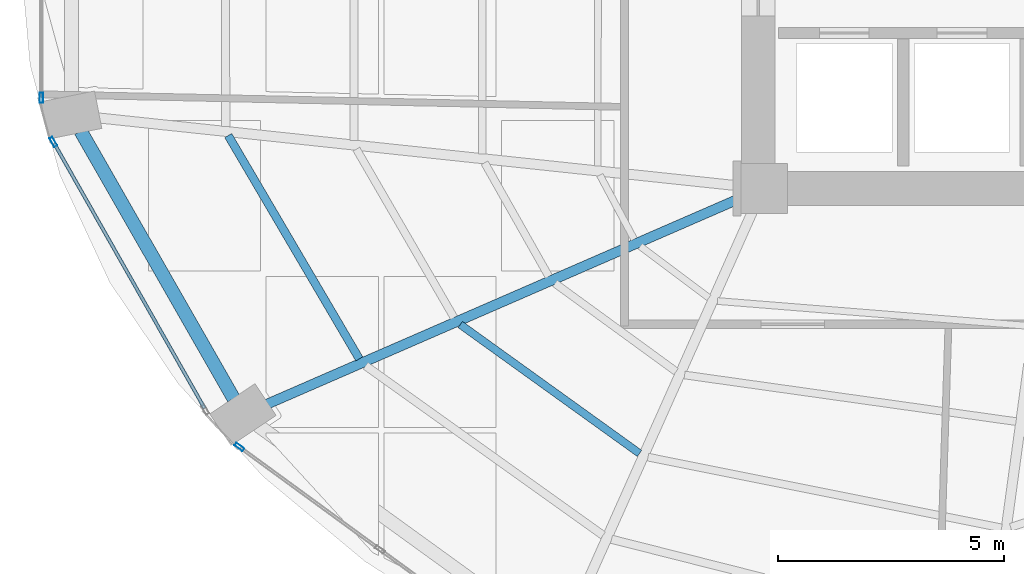
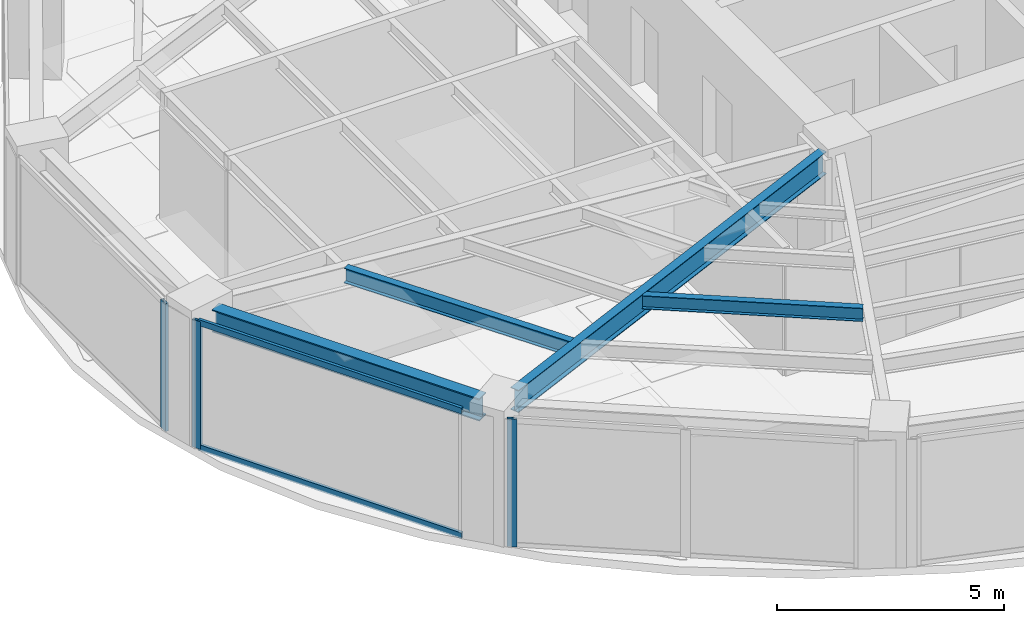
# One storey, part 3 of 24: 5 members, 4 beams, 3 elements without a shape of their own.
"""IFC4 building model written with IfcOpenShell, lengths in metres."""

from ifc_helpers import new_model, si_unit, direction, frame, origin, origin_2d, place, context, subcontext, project, spatial, hollow_rectangle, i_section, extrude, material, layer, layer_set, material_profile, profile_set, type_object, element, aggregate, save


model = new_model("IFC4")

# Units and contexts
model_context = context("Model", 3, precision=1e-05, world=origin(), true_north=direction((0.0, 1.0)))
body_context = subcontext(model_context, "Body", "Model", "MODEL_VIEW")
ifc_project = project(units=[si_unit("LENGTHUNIT", "METRE"), si_unit("AREAUNIT", "SQUARE_METRE"), si_unit("VOLUMEUNIT", "CUBIC_METRE"), si_unit("PLANEANGLEUNIT", "RADIAN"), si_unit("MASSUNIT", "GRAM", prefix="KILO")], contexts=[model_context])

# Site, building, storey
site_placement = place(None, origin())
site = spatial("IfcSite", under=ifc_project, at=site_placement, CompositionType="ELEMENT")
building_placement = place(site_placement, origin())
building = spatial("IfcBuilding", under=site, at=building_placement, Name="Lazwardi Medical Tower", CompositionType="ELEMENT")
storey_placement = place(building_placement, frame((0.0, 0.0, 103.632080078125)))
storey = spatial("IfcBuildingStorey", under=building, at=storey_placement, Name="L26", CompositionType="ELEMENT", Elevation=103.632080078125)

# Beams
ifc_material_1 = material(Name="Steel S355", Category="steel")
ifc_material_profile_1 = material_profile(ifc_material_1, i_section(OverallWidth=0.300048828125, OverallDepth=0.60009765625, WebThickness=0.015380859375, FlangeThickness=0.030029296875, at=origin_2d()), Name="HEB 600")
ifc_profile_set_1 = profile_set([ifc_material_profile_1], Name="Steel S355")
beam_type_1 = type_object("IfcBeamType", Name="BM-RB-Z2", PredefinedType="BEAM", material=ifc_profile_set_1)
beam_1_placement = place(storey_placement, frame((11.3408203125, 21.664306640625, 3.1279296875), z_axis=(0.496637551254, -0.867958030486, 0.0), x_axis=(0.867958030486, 0.496637551254, 0.0)))
element("IfcBeam", 1, at=beam_1_placement, inside=storey, type_object=beam_type_1, Name="Ring beam RB-03 B13 L26", PredefinedType="BEAM", context=body_context, shape_type="SweptSolid", body=[
    extrude(i_section(OverallWidth=0.300048828125, OverallDepth=0.60009765625, WebThickness=0.015380859375, FlangeThickness=0.030029296875, at=origin_2d()), origin(), (0.0, 0.0, 1.0), 6.801025390625),
])
ifc_material_profile_2 = material_profile(ifc_material_1, i_section(OverallWidth=0.219970703125, OverallDepth=0.60009765625, WebThickness=0.011962890625, FlangeThickness=0.01904296875, at=origin_2d()), Name="IPE 600")
ifc_profile_set_2 = profile_set([ifc_material_profile_2], Name="Steel S355")
beam_type_2 = type_object("IfcBeamType", Name="BM-RG-W1", PredefinedType="BEAM", material=ifc_profile_set_2)
beam_2_placement = place(storey_placement, frame((15.4541015625, 15.63671875, 3.1279296875), z_axis=(0.916941336121, 0.399022037127, 0.0), x_axis=(-0.399022037127, 0.916941336121, 0.0)))
element("IfcBeam", 2, at=beam_2_placement, inside=storey, type_object=beam_type_2, Name="Radial girder RG-02 R14 L26", PredefinedType="BEAM", context=body_context, shape_type="SweptSolid", body=[
    extrude(i_section(OverallWidth=0.219970703125, OverallDepth=0.60009765625, WebThickness=0.011962890625, FlangeThickness=0.01904296875, at=origin_2d()), origin(), (0.0, 0.0, 1.0), 11.40234375),
])
ifc_material_profile_3 = material_profile(ifc_material_1, i_section(OverallWidth=0.179931640625, OverallDepth=0.39990234375, WebThickness=0.008544921875, FlangeThickness=0.013427734375, at=origin_2d()), Name="IPE 400")
ifc_profile_set_3 = profile_set([ifc_material_profile_3], Name="Steel S355")
beam_type_3 = type_object("IfcBeamType", Name="BM-SJ-01", PredefinedType="JOIST", material=ifc_profile_set_3)
beam_3_placement = place(storey_placement, frame((14.597900390625, 21.56787109375, 3.22802734375), z_axis=(0.506195045201, -0.862419025888, 0.0), x_axis=(0.862419025888, 0.506195045201, 0.0)))
element("IfcBeam", 3, at=beam_3_placement, inside=storey, type_object=beam_type_3, Name="Secondary joist SJ-01 R1 B13 L26", PredefinedType="JOIST", context=body_context, shape_type="SweptSolid", body=[
    extrude(i_section(OverallWidth=0.179931640625, OverallDepth=0.39990234375, WebThickness=0.008544921875, FlangeThickness=0.013427734375, at=origin_2d()), origin(), (0.0, 0.0, 1.0), 5.71728515625),
])
ifc_material_profile_4 = material_profile(ifc_material_1, i_section(OverallWidth=0.169921875, OverallDepth=0.360107421875, WebThickness=0.008056640625, FlangeThickness=0.0126953125, at=origin_2d()), Name="IPE 360")
ifc_profile_set_4 = profile_set([ifc_material_profile_4], Name="Steel S355")
beam_type_4 = type_object("IfcBeamType", Name="BM-SJ-02", PredefinedType="JOIST", material=ifc_profile_set_4)
beam_4_placement = place(storey_placement, frame((19.721435546875, 17.395263671875, 3.247802734375), z_axis=(0.811888517177, -0.583812500446, 0.0), x_axis=(0.583812500446, 0.811888517177, 0.0)))
element("IfcBeam", 4, at=beam_4_placement, inside=storey, type_object=beam_type_4, Name="Secondary joist SJ-02 R2 B14 L26", PredefinedType="JOIST", context=body_context, shape_type="SweptSolid", body=[
    extrude(i_section(OverallWidth=0.169921875, OverallDepth=0.360107421875, WebThickness=0.008056640625, FlangeThickness=0.0126953125, at=origin_2d()), origin(), (0.0, 0.0, 1.0), 4.874755859375),
])

# Curtain wall, member
ifc_material_2 = material(Name="Anodised bronze aluminium and solar control glazing", Category="aluminium")
ifc_layer = layer(ifc_material_2, 0.195068359375)
ifc_layer_set = layer_set([ifc_layer], Name="Anodised bronze aluminium and solar control glazing")
curtain_wall_type = type_object("IfcCurtainWallType", Name="CW-SYS-03", PredefinedType="NOTDEFINED", material=ifc_layer_set)
curtain_wall_1_placement = place(storey_placement, origin())
curtain_wall_1 = element("IfcCurtainWall", 5, at=curtain_wall_1_placement, inside=storey, type_object=curtain_wall_type, Name="L26 Unitised bronze curtain wall CW-03", PredefinedType="NOTDEFINED")
ifc_material_3 = material(Name="Anodised bronze aluminium", Category="aluminium")
ifc_material_profile_5 = material_profile(ifc_material_3, hollow_rectangle(XDim=0.074951171875, YDim=0.219970703125, WallThickness=0.00390625, at=origin_2d()), Name="ALU-MULLION 220x75x4")
ifc_profile_set_5 = profile_set([ifc_material_profile_5], Name="Anodised bronze aluminium")
member_type_1 = type_object("IfcMemberType", Name="CW-MUL-01", PredefinedType="MULLION", material=ifc_profile_set_5)
member_1_placement = place(storey_placement, frame((10.471923828125, 22.402587890625, 0.0), z_axis=(0.0, 0.0, 1.0), x_axis=(1.0, 0.0, 0.0)))
member_1 = element("IfcMember", 6, at=member_1_placement, type_object=member_type_1, Name="CW-03 mullion 2", PredefinedType="MULLION", context=body_context, shape_type="SweptSolid", body=[
    extrude(hollow_rectangle(XDim=0.074951171875, YDim=0.219970703125, WallThickness=0.00390625, at=origin_2d()), origin(), (0.0, 0.0, 1.0), 3.427978515625),
])
aggregate(curtain_wall_1, [member_1])

curtain_wall_2_placement = place(storey_placement, origin())
curtain_wall_2 = element("IfcCurtainWall", 7, at=curtain_wall_2_placement, inside=storey, type_object=curtain_wall_type, Name="L26 Unitised bronze curtain wall CW-03", PredefinedType="NOTDEFINED")
member_2_placement = place(storey_placement, frame((10.7373046875, 21.42626953125, 0.0), z_axis=(0.0, 0.0, 1.0), x_axis=(0.869687265712, 0.493603140041, 0.0)))
member_2 = element("IfcMember", 8, at=member_2_placement, type_object=member_type_1, Name="CW-03 mullion 1", PredefinedType="MULLION", context=body_context, shape_type="SweptSolid", body=[
    extrude(hollow_rectangle(XDim=0.074951171875, YDim=0.219970703125, WallThickness=0.00390625, at=origin_2d()), origin(), (0.0, 0.0, 1.0), 3.427978515625),
])

curtain_wall_3_placement = place(storey_placement, origin())
curtain_wall_3 = element("IfcCurtainWall", 9, at=curtain_wall_3_placement, inside=storey, type_object=curtain_wall_type, Name="L26 Unitised bronze curtain wall CW-03", PredefinedType="NOTDEFINED")
member_3_placement = place(storey_placement, frame((14.844970703125, 14.691162109375, 0.0), z_axis=(0.0, 0.0, 1.0), x_axis=(0.589530882802, 0.807745837639, 0.0)))
member_3 = element("IfcMember", 10, at=member_3_placement, type_object=member_type_1, Name="CW-03 mullion 1", PredefinedType="MULLION", context=body_context, shape_type="SweptSolid", body=[
    extrude(hollow_rectangle(XDim=0.074951171875, YDim=0.219970703125, WallThickness=0.00390625, at=origin_2d()), origin(), (0.0, 0.0, 1.0), 3.427978515625),
])
aggregate(curtain_wall_3, [member_3])

# Member
ifc_material_profile_6 = material_profile(ifc_material_3, hollow_rectangle(XDim=0.074951171875, YDim=0.159912109375, WallThickness=0.00390625, at=origin_2d()), Name="ALU-TRANSOM 160x75x4")
ifc_profile_set_6 = profile_set([ifc_material_profile_6], Name="Anodised bronze aluminium")
member_type_2 = type_object("IfcMemberType", Name="CW-TRN-01", PredefinedType="USERDEFINED", material=ifc_profile_set_6)
member_4_placement = place(storey_placement, frame((10.755859375, 21.3935546875, 0.037353515625), z_axis=(0.493614427365, -0.869680859337, 0.0), x_axis=(0.869680859337, 0.493614427365, 0.0)))
member_4 = element("IfcMember", 11, at=member_4_placement, type_object=member_type_2, Name="CW-03 transom 1.1", ObjectType="TRANSOM", PredefinedType="USERDEFINED", context=body_context, shape_type="SweptSolid", body=[
    extrude(hollow_rectangle(XDim=0.074951171875, YDim=0.159912109375, WallThickness=0.00390625, at=origin_2d()), origin(), (0.0, 0.0, 1.0), 6.72314453125),
])

member_5_placement = place(storey_placement, frame((10.755859375, 21.3935546875, 3.390380859375), z_axis=(0.493614427365, -0.869680859337, 0.0), x_axis=(0.869680859337, 0.493614427365, 0.0)))
member_5 = element("IfcMember", 12, at=member_5_placement, type_object=member_type_2, Name="CW-03 transom 1.2", ObjectType="TRANSOM", PredefinedType="USERDEFINED", context=body_context, shape_type="SweptSolid", body=[
    extrude(hollow_rectangle(XDim=0.074951171875, YDim=0.159912109375, WallThickness=0.00390625, at=origin_2d()), origin(), (0.0, 0.0, 1.0), 6.72314453125),
])

aggregate(curtain_wall_2, [member_2, member_4, member_5])

save(model, "model.ifc")
